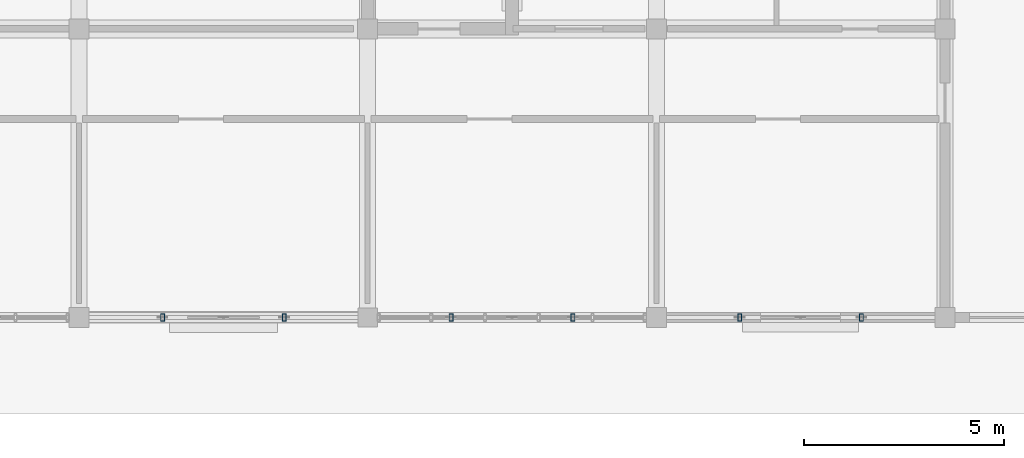
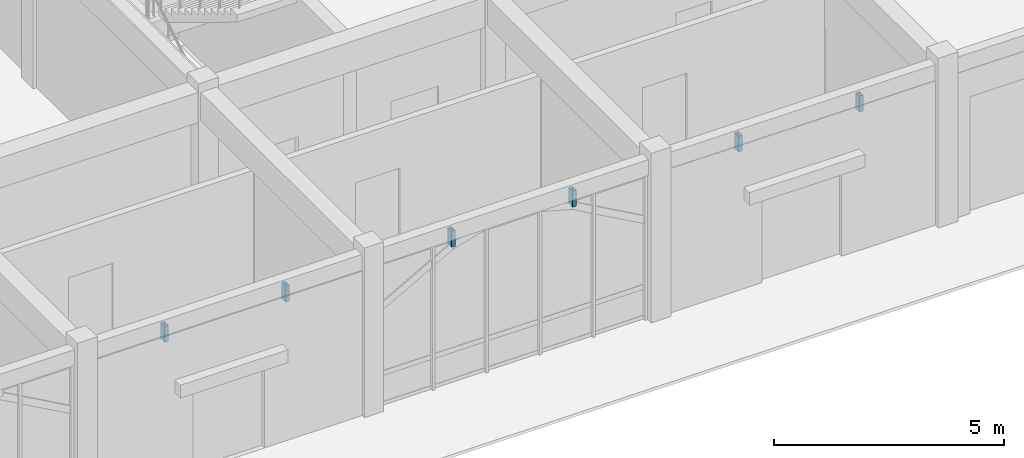
# One storey, part 38 of 138: 6 members.
"""IFC4 building model written with IfcOpenShell, lengths in metres."""

from ifc_helpers import new_model, si_unit, direction, frame, origin, origin_2d, place, context, subcontext, project, spatial, hollow_rectangle, extrude, material, material_profile, profile_set, type_object, element, save


model = new_model("IFC4")

# Units and contexts
model_context = context("Model", 3, precision=1e-05, world=origin(), true_north=direction((0.0, 1.0)))
body_context = subcontext(model_context, "Body", "Model", "MODEL_VIEW")
ifc_project = project(units=[si_unit("LENGTHUNIT", "METRE"), si_unit("AREAUNIT", "SQUARE_METRE"), si_unit("VOLUMEUNIT", "CUBIC_METRE"), si_unit("PLANEANGLEUNIT", "RADIAN"), si_unit("MASSUNIT", "GRAM", prefix="KILO"), si_unit("THERMODYNAMICTEMPERATUREUNIT", "KELVIN"), si_unit("POWERUNIT", "WATT")], contexts=[model_context])

# Site, building, storey
site_placement = place(None, origin())
site = spatial("IfcSite", under=ifc_project, at=site_placement, CompositionType="ELEMENT")
building_placement = place(site_placement, origin())
building = spatial("IfcBuilding", under=site, at=building_placement, Name="Tavuni Mirador Residences", CompositionType="ELEMENT")
storey_placement = place(building_placement, origin())
storey = spatial("IfcBuildingStorey", under=building, at=storey_placement, Name="L00", CompositionType="ELEMENT", Elevation=0.0)

# Members
ifc_material = material(Name="Structural steel S355", Category="steel")
ifc_material_profile = material_profile(ifc_material, hollow_rectangle(XDim=0.10009765625, YDim=0.179931640625, WallThickness=0.008056640625, at=origin_2d()), Name="RHS 180x100x8.0", Category="steel")
ifc_profile_set = profile_set([ifc_material_profile], Name="Structural steel S355")
member_type = type_object("IfcMemberType", Name="MT-BR-RHS180", PredefinedType="BRACE", material=ifc_profile_set)
for number, where, z_axis, x_axis, name in (
    (1, (70.48193359375, 7.199951171875, 3.6298828125), (0.0, 0.0, 1.0), (1.0, 0.0, 0.0), "ARCH-SHOP-S-03-V1"),
    (2, (73.51806640625, 7.199951171875, 3.6298828125), (0.0, 0.0, 1.0), (1.0, 0.0, 0.0), "ARCH-SHOP-S-03-V2"),
    (3, (77.681884765625, 7.199951171875, 3.6298828125), (0.0, 0.0, 1.0), (1.0, 0.0, 0.0), "ARCH-SHOP-S-04-V1"),
    (4, (80.718017578125, 7.199951171875, 3.6298828125), (0.0, 0.0, 1.0), (1.0, 0.0, 0.0), "ARCH-SHOP-S-04-V2"),
    (5, (84.882080078125, 7.199951171875, 3.6298828125), (0.0, 0.0, 1.0), (1.0, 0.0, 0.0), "ARCH-SHOP-S-05-V1"),
    (6, (87.91796875, 7.199951171875, 3.6298828125), (0.0, 0.0, 1.0), (1.0, 0.0, 0.0), "ARCH-SHOP-S-05-V2"),
):
    element("IfcMember", number, at=place(storey_placement, frame(where, z_axis=z_axis, x_axis=x_axis)), inside=storey, type_object=member_type, Name=name, PredefinedType="BRACE", context=body_context, shape_type="SweptSolid", body=[
        extrude(hollow_rectangle(XDim=0.10009765625, YDim=0.179931640625, WallThickness=0.008056640625, at=origin_2d()), origin(), (0.0, 0.0, 1.0), 0.420166015625),
    ])

save(model, "model.ifc")
